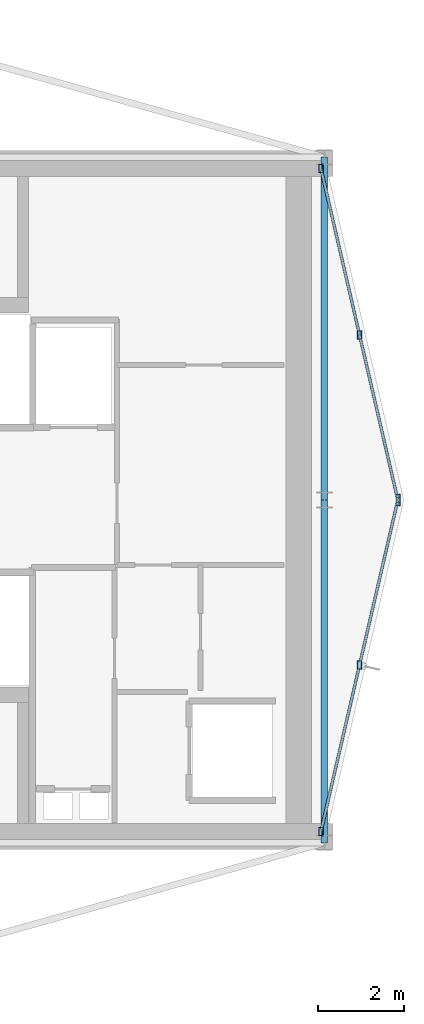
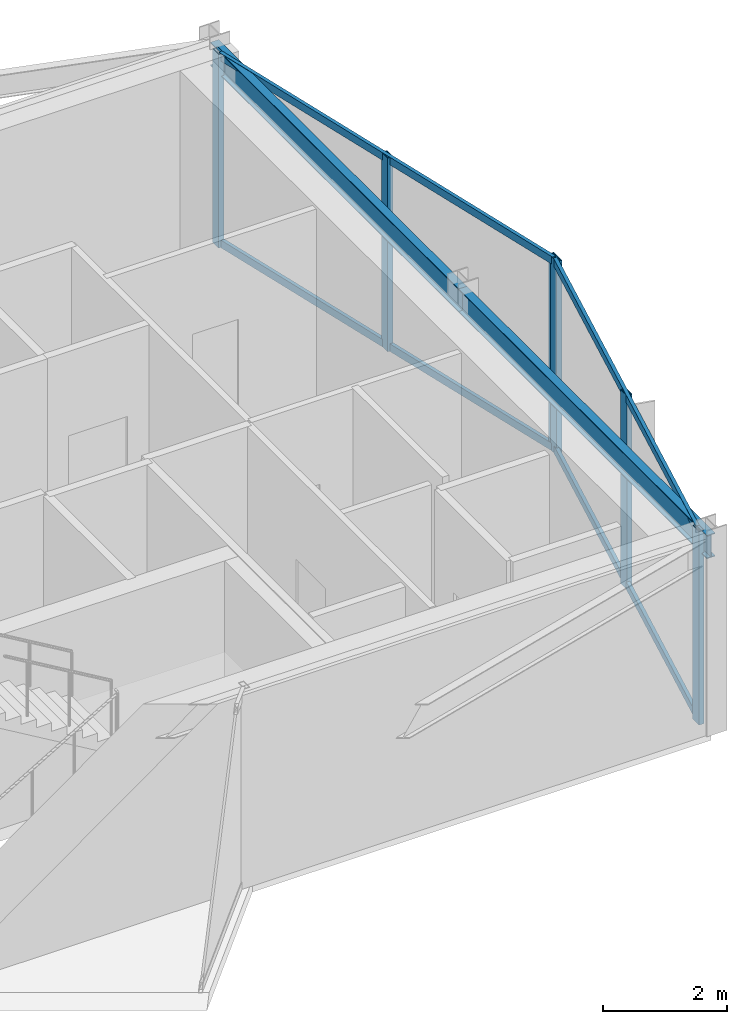
# One storey, part 7 of 13: 10 members, 2 beams, 2 elements without a shape of their own.
"""IFC4 building model written with IfcOpenShell, lengths in metres."""

import ifcopenshell
import ifcopenshell.guid

model = None  # the IFC model being written
_history = None  # IfcOwnerHistory: only IFC2X3 demands one
_inside = {}  # id of a spatial element -> (the spatial element, [elements in it])
_under = {}  # id of a project, library or spatial element -> (it, [spatial elements below it])
_declared = {}  # id of a project -> (the project, [libraries it declares])
_typed = {}  # id of a type object -> (the type object, [elements of that type])
_made_of = {}  # id of a material, layer set ... -> (it, [elements and type objects made of it])


def new_model(schema):
    """Start an empty IFC model of exactly this schema.

    Asked for "IFC4X3", IfcOpenShell would pick the latest addendum, in which some entities
    have other attributes; the version numbers below select the first issue.
    IFC2X3 requires an IfcOwnerHistory on every rooted entity: one is made here for all.
    """
    global model, _history
    if schema == "IFC4X3":
        model = ifcopenshell.file(schema_version=(4, 3, 0, 0))
    else:
        model = ifcopenshell.file(schema=schema)
    _inside.clear()
    _under.clear()
    _declared.clear()
    _typed.clear()
    _made_of.clear()
    _history = None
    if model.schema == "IFC2X3":
        org = make("IfcOrganization", Name="unknown")
        user = make(
            "IfcPersonAndOrganization",
            ThePerson=make("IfcPerson", FamilyName="unknown"),
            TheOrganization=org,
        )
        app = make(
            "IfcApplication",
            ApplicationDeveloper=org,
            Version="unknown",
            ApplicationFullName="unknown",
            ApplicationIdentifier="unknown",
        )
        _history = make(
            "IfcOwnerHistory",
            OwningUser=user,
            OwningApplication=app,
            ChangeAction="ADDED",
            CreationDate=0,
        )
    return model


def make(cls, **values):
    """One entity of the class cls with the attributes given. An attribute that is None is left unset."""
    return model.create_entity(
        cls, **{name: value for name, value in values.items() if value is not None}
    )


def rooted(cls, **values):
    """An entity with a GlobalId (a new one), such as an element, a storey or a relation."""
    return make(cls, GlobalId=ifcopenshell.guid.new(), OwnerHistory=_history, **values)


def si_unit(unit_type, name, prefix=None):
    """IfcSIUnit, for example si_unit("LENGTHUNIT", "METRE", prefix="MILLI")."""
    return make("IfcSIUnit", UnitType=unit_type, Prefix=prefix, Name=name)


def assignment(units):
    """IfcUnitAssignment: the units of a project."""
    return None if units is None else make("IfcUnitAssignment", Units=units)


def point(xyz):
    """IfcCartesianPoint."""
    return None if xyz is None else make("IfcCartesianPoint", Coordinates=xyz)


def direction(xyz):
    """IfcDirection."""
    return None if xyz is None else make("IfcDirection", DirectionRatios=xyz)


def frame(location, z_axis=None, x_axis=None):
    """IfcAxis2Placement3D, a coordinate frame: its origin and axes. An axis left out is left unset."""
    return make(
        "IfcAxis2Placement3D",
        Location=point(location),
        Axis=direction(z_axis),
        RefDirection=direction(x_axis),
    )


def frame_2d(location, x_axis=None):
    """IfcAxis2Placement2D, a coordinate frame in the plane: its origin and x axis."""
    return make(
        "IfcAxis2Placement2D", Location=point(location), RefDirection=direction(x_axis)
    )


def origin():
    """The frame at (0, 0, 0) with its axes left unset."""
    return frame((0.0, 0.0, 0.0))


def origin_2d():
    """The frame at (0, 0) in the plane with its x axis left unset."""
    return frame_2d((0.0, 0.0))


def place(relative_to, where):
    """IfcLocalPlacement: puts the frame where relative to a parent placement (None: the world)."""
    return make(
        "IfcLocalPlacement", PlacementRelTo=relative_to, RelativePlacement=where
    )


def context(
    kind, dimensions, precision=None, world=None, true_north=None, identifier=None
):
    """IfcGeometricRepresentationContext, for example the 3D "Model" context."""
    return make(
        "IfcGeometricRepresentationContext",
        ContextIdentifier=identifier,
        ContextType=kind,
        CoordinateSpaceDimension=dimensions,
        Precision=precision,
        WorldCoordinateSystem=world,
        TrueNorth=true_north,
    )


def subcontext(parent, identifier, kind, view, scale=None):
    """IfcGeometricRepresentationSubContext, for example "Body" below "Model"."""
    return make(
        "IfcGeometricRepresentationSubContext",
        ContextIdentifier=identifier,
        ContextType=kind,
        ParentContext=parent,
        TargetScale=scale,
        TargetView=view,
    )


def project(units=None, contexts=None):
    """IfcProject with its units and contexts."""
    return rooted(
        "IfcProject",
        Name="project",
        RepresentationContexts=contexts,
        UnitsInContext=assignment(units),
    )


def spatial(cls, under=None, at=None, **own):
    """A site, building, storey or space (cls), placed at a placement, below another one or the project."""
    s = rooted(cls, ObjectPlacement=at, **own)
    if under is not None:
        _under.setdefault(under.id(), (under, []))[1].append(s)
    return s


def profile(cls, at=None, kind="AREA", **sizes):
    """A parametric profile (cls). Its sizes go by their IFC names, for example OverallWidth=200.0."""
    return make(cls, ProfileType=kind, Position=at, **sizes)


def hollow_rectangle(**sizes):
    """IfcRectangleHollowProfileDef."""
    return profile("IfcRectangleHollowProfileDef", **sizes)


def i_section(**sizes):
    """IfcIShapeProfileDef."""
    return profile("IfcIShapeProfileDef", **sizes)


def extrude(swept, where, along, depth):
    """IfcExtrudedAreaSolid: the profile swept, set in the frame where, extruded along a direction by depth."""
    return make(
        "IfcExtrudedAreaSolid",
        SweptArea=swept,
        Position=where,
        ExtrudedDirection=direction(along),
        Depth=depth,
    )


def shape(context_of_items, identifier, shape_type, items):
    """IfcShapeRepresentation: the items that make up one representation, for example the "Body"."""
    return make(
        "IfcShapeRepresentation",
        ContextOfItems=context_of_items,
        RepresentationIdentifier=identifier,
        RepresentationType=shape_type,
        Items=items,
    )


def material(Name=None, Category=None):
    """IfcMaterial."""
    return make("IfcMaterial", Name=Name, Category=Category)


def layer(
    of_material, thickness, ventilated=None, Name=None, Category=None, Priority=None
):
    """IfcMaterialLayer: one layer of a wall or slab, of a material (None: an air gap)."""
    return make(
        "IfcMaterialLayer",
        Material=of_material,
        LayerThickness=thickness,
        IsVentilated=ventilated,
        Name=Name,
        Category=Category,
        Priority=Priority,
    )


def layer_set(layers, Name=None):
    """IfcMaterialLayerSet."""
    return make("IfcMaterialLayerSet", MaterialLayers=layers, LayerSetName=Name)


def material_profile(
    of_material, cross_section, Name=None, Category=None, Priority=None
):
    """IfcMaterialProfile: a cross section and its material."""
    return make(
        "IfcMaterialProfile",
        Name=Name,
        Material=of_material,
        Profile=cross_section,
        Priority=Priority,
        Category=Category,
    )


def profile_set(profiles, Name=None, composite=None):
    """IfcMaterialProfileSet."""
    return make(
        "IfcMaterialProfileSet",
        Name=Name,
        MaterialProfiles=profiles,
        CompositeProfile=composite,
    )


def made_of(thing, what):
    """Note that an element or type object is made of a material, layer set ...; save() writes the relation."""
    if what is not None:
        _made_of.setdefault(what.id(), (what, []))[1].append(thing)
    return thing


def type_object(cls, material=None, **own):
    """A type object (cls), such as IfcWallType, which elements share."""
    return made_of(rooted(cls, **own), material)


def element(
    cls,
    number,
    at=None,
    inside=None,
    cuts=None,
    type_object=None,
    material=None,
    context=None,
    identifier="Body",
    shape_type=None,
    held_by="IfcProductDefinitionShape",
    body=None,
    shapes=None,
    **own,
):
    """One element of the class cls, such as IfcWall. Its Tag is "e" and its number.

    at: its placement. inside: the storey or other place that contains it. cuts: it is an
    opening in that element (IfcRelVoidsElement). A single representation is given by context,
    identifier, shape_type and body (its items); several are given by shapes. held_by: the class
    of the entity that holds the representations. save() writes the other relations.
    """
    e = rooted(cls, Tag="e%d" % number, ObjectPlacement=at, **own)
    if body is not None:
        shapes = [shape(context, identifier, shape_type, body)]
    if shapes is not None:
        e.Representation = make(held_by, Representations=shapes)
    if inside is not None:
        _inside.setdefault(inside.id(), (inside, []))[1].append(e)
    if cuts is not None:
        rooted(
            "IfcRelVoidsElement", RelatingBuildingElement=cuts, RelatedOpeningElement=e
        )
    if type_object is not None:
        _typed.setdefault(type_object.id(), (type_object, []))[1].append(e)
    return made_of(e, material)


def aggregate(whole, parts):
    """IfcRelAggregates: a whole, such as a stair, and the parts it consists of."""
    return rooted("IfcRelAggregates", RelatingObject=whole, RelatedObjects=parts)


def save(model, path):
    """Write the relations noted so far, then the file.

    IfcRelAggregates (storeys below a building ...), IfcRelContainedInSpatialStructure (elements
    in a storey), IfcRelDefinesByType, IfcRelAssociatesMaterial and IfcRelDeclares: one each for
    every whole, place, type object, material and project.
    """
    for whole, parts in _under.values():
        aggregate(whole, parts)
    for where, things in _inside.values():
        rooted(
            "IfcRelContainedInSpatialStructure",
            RelatedElements=things,
            RelatingStructure=where,
        )
    for kind, things in _typed.values():
        rooted("IfcRelDefinesByType", RelatedObjects=things, RelatingType=kind)
    for what, things in _made_of.values():
        rooted("IfcRelAssociatesMaterial", RelatedObjects=things, RelatingMaterial=what)
    for by, libraries in _declared.values():
        rooted("IfcRelDeclares", RelatingContext=by, RelatedDefinitions=libraries)
    model.write(path)


model = new_model("IFC4")

# Units and contexts
model_context = context("Model", 3, precision=1e-05, world=origin(), true_north=direction((0.0, 1.0)))
body_context = subcontext(model_context, "Body", "Model", "MODEL_VIEW")
ifc_project = project(units=[si_unit("LENGTHUNIT", "METRE"), si_unit("AREAUNIT", "SQUARE_METRE"), si_unit("VOLUMEUNIT", "CUBIC_METRE"), si_unit("PLANEANGLEUNIT", "RADIAN"), si_unit("MASSUNIT", "GRAM", prefix="KILO")], contexts=[model_context])

# Site, building, storey
site_placement = place(None, origin())
site = spatial("IfcSite", under=ifc_project, at=site_placement, CompositionType="ELEMENT")
building_placement = place(site_placement, origin())
building = spatial("IfcBuilding", under=site, at=building_placement, Name="Veymaron Broadcast Tower", CompositionType="ELEMENT")
storey_placement = place(building_placement, frame((0.0, 0.0, 287.10009765625)))
storey = spatial("IfcBuildingStorey", under=building, at=storey_placement, Name="L67", CompositionType="ELEMENT", Elevation=287.10009765625)

# Beams
ifc_material_1 = material(Name="Structural steel ASTM A992 Gr 50", Category="steel")
ifc_material_profile_1 = material_profile(ifc_material_1, i_section(OverallWidth=0.154052734375, OverallDepth=0.458984375, WebThickness=0.009033203125, FlangeThickness=0.015380859375, at=origin_2d()), Name="W460X68")
ifc_profile_set_1 = profile_set([ifc_material_profile_1], Name="Structural steel ASTM A992 Gr 50")
beam_type = type_object("IfcBeamType", Name="BM-SP2", PredefinedType="SPANDREL", material=ifc_profile_set_1)
for number, where, z_axis, x_axis, name in (
    (1, (54.60009765625, 16.0, 3.580322265625), (0.0, 1.0, 0.0), (-1.0, 0.0, 0.0), "L67 primary structural floor girder"),
    (2, (54.60009765625, 24.0, 3.580322265625), (0.0, 1.0, 0.0), (-1.0, 0.0, 0.0), "L67 primary structural floor girder"),
):
    element("IfcBeam", number, at=place(storey_placement, frame(where, z_axis=z_axis, x_axis=x_axis)), inside=storey, type_object=beam_type, Name=name, PredefinedType="SPANDREL", context=body_context, shape_type="SweptSolid", body=[
        extrude(i_section(OverallWidth=0.154052734375, OverallDepth=0.458984375, WebThickness=0.009033203125, FlangeThickness=0.015380859375, at=origin_2d()), origin(), (0.0, 0.0, 1.0), 8.0),
    ])

# Curtain wall, members
ifc_material_2 = material(Name="Anodised aluminium AA 6063-T6 and laminated low-E dark glass", Category="aluminium")
ifc_layer = layer(ifc_material_2, 0.179931640625)
ifc_layer_set = layer_set([ifc_layer], Name="Anodised aluminium AA 6063-T6 and laminated low-E dark glass")
curtain_wall_type = type_object("IfcCurtainWallType", Name="CW-SYS-06", PredefinedType="NOTDEFINED", material=ifc_layer_set)
curtain_wall_1_placement = place(storey_placement, origin())
curtain_wall_1 = element("IfcCurtainWall", 3, at=curtain_wall_1_placement, inside=storey, type_object=curtain_wall_type, Name="L67 dark-glass curtain wall CW-L67-E2-1", PredefinedType="NOTDEFINED")
ifc_material_3 = material(Name="Anodised aluminium AA 6063-T6", Category="aluminium")
ifc_material_profile_2 = material_profile(ifc_material_3, hollow_rectangle(XDim=0.10009765625, YDim=0.199951171875, WallThickness=0.010009765625, at=origin_2d()), Name="RHS200X100X10")
ifc_profile_set_2 = profile_set([ifc_material_profile_2], Name="Anodised aluminium AA 6063-T6")
member_type_1 = type_object("IfcMemberType", Name="CW-MUL-01", PredefinedType="MULLION", material=ifc_profile_set_2)
member_1_placement = place(storey_placement, frame((54.517578125, 16.264892578125, 0.0), z_axis=(0.0, 0.0, 1.0), x_axis=(1.0, 0.0, 0.0)))
member_1 = element("IfcMember", 4, at=member_1_placement, type_object=member_type_1, Name="CW-L67-E2-1 mullion 0", PredefinedType="MULLION", context=body_context, shape_type="SweptSolid", body=[
    extrude(hollow_rectangle(XDim=0.10009765625, YDim=0.199951171875, WallThickness=0.010009765625, at=origin_2d()), origin(), (0.0, 0.0, 1.0), 3.809814453125),
])
member_2_placement = place(storey_placement, frame((55.418701171875, 20.148193359375, 0.0), z_axis=(0.0, 0.0, 1.0), x_axis=(1.0, 0.0, 0.0)))
member_2 = element("IfcMember", 5, at=member_2_placement, type_object=member_type_1, Name="CW-L67-E2-1 mullion 1", PredefinedType="MULLION", context=body_context, shape_type="SweptSolid", body=[
    extrude(hollow_rectangle(XDim=0.10009765625, YDim=0.199951171875, WallThickness=0.010009765625, at=origin_2d()), origin(), (0.0, 0.0, 1.0), 3.809814453125),
])
member_3_placement = place(storey_placement, frame((56.320068359375, 24.031494140625, 0.0), z_axis=(0.0, 0.0, 1.0), x_axis=(1.0, 0.0, 0.0)))
member_3 = element("IfcMember", 6, at=member_3_placement, type_object=member_type_1, Name="CW-L67-E2-1 mullion 2", PredefinedType="MULLION", context=body_context, shape_type="SweptSolid", body=[
    extrude(hollow_rectangle(XDim=0.10009765625, YDim=0.199951171875, WallThickness=0.010009765625, at=origin_2d()), origin(), (0.0, 0.0, 1.0), 3.809814453125),
])

curtain_wall_2_placement = place(storey_placement, origin())
curtain_wall_2 = element("IfcCurtainWall", 7, at=curtain_wall_2_placement, inside=storey, type_object=curtain_wall_type, Name="L67 dark-glass curtain wall CW-L67-E3-1", PredefinedType="NOTDEFINED")
member_4_placement = place(storey_placement, frame((56.320068359375, 23.968505859375, 0.0), z_axis=(0.0, 0.0, 1.0), x_axis=(1.0, 0.0, 0.0)))
member_4 = element("IfcMember", 8, at=member_4_placement, type_object=member_type_1, Name="CW-L67-E3-1 mullion 0", PredefinedType="MULLION", context=body_context, shape_type="SweptSolid", body=[
    extrude(hollow_rectangle(XDim=0.10009765625, YDim=0.199951171875, WallThickness=0.010009765625, at=origin_2d()), origin(), (0.0, 0.0, 1.0), 3.809814453125),
])
member_5_placement = place(storey_placement, frame((55.418701171875, 27.851806640625, 0.0), z_axis=(0.0, 0.0, 1.0), x_axis=(1.0, 0.0, 0.0)))
member_5 = element("IfcMember", 9, at=member_5_placement, type_object=member_type_1, Name="CW-L67-E3-1 mullion 1", PredefinedType="MULLION", context=body_context, shape_type="SweptSolid", body=[
    extrude(hollow_rectangle(XDim=0.10009765625, YDim=0.199951171875, WallThickness=0.010009765625, at=origin_2d()), origin(), (0.0, 0.0, 1.0), 3.809814453125),
])
member_6_placement = place(storey_placement, frame((54.517578125, 31.735107421875, 0.0), z_axis=(0.0, 0.0, 1.0), x_axis=(1.0, 0.0, 0.0)))
member_6 = element("IfcMember", 10, at=member_6_placement, type_object=member_type_1, Name="CW-L67-E3-1 mullion 2", PredefinedType="MULLION", context=body_context, shape_type="SweptSolid", body=[
    extrude(hollow_rectangle(XDim=0.10009765625, YDim=0.199951171875, WallThickness=0.010009765625, at=origin_2d()), origin(), (0.0, 0.0, 1.0), 3.809814453125),
])

# Member
ifc_material_profile_3 = material_profile(ifc_material_3, hollow_rectangle(XDim=0.06494140625, YDim=0.14990234375, WallThickness=0.00390625, at=origin_2d()), Name="AL150X65X4")
ifc_profile_set_3 = profile_set([ifc_material_profile_3], Name="Anodised aluminium AA 6063-T6")
member_type_2 = type_object("IfcMemberType", Name="CW-TRN-01", PredefinedType="USERDEFINED", material=ifc_profile_set_3)
member_7_placement = place(storey_placement, frame((54.529052734375, 16.3134765625, 0.06982421875), z_axis=(0.226025672802, 0.974121345231, 0.0), x_axis=(-0.974121345231, 0.226025672802, 0.0)))
member_7 = element("IfcMember", 11, at=member_7_placement, type_object=member_type_2, Name="CW-L67-E2-1 transom B", ObjectType="TRANSOM", PredefinedType="USERDEFINED", context=body_context, shape_type="SweptSolid", body=[
    extrude(hollow_rectangle(XDim=0.06494140625, YDim=0.14990234375, WallThickness=0.00390625, at=origin_2d()), origin(), (0.0, 0.0, 1.0), 7.873291015625),
])

member_8_placement = place(storey_placement, frame((54.529052734375, 16.3134765625, 3.739990234375), z_axis=(0.226025672802, 0.974121345231, 0.0), x_axis=(-0.974121345231, 0.226025672802, 0.0)))
member_8 = element("IfcMember", 12, at=member_8_placement, type_object=member_type_2, Name="CW-L67-E2-1 transom T", ObjectType="TRANSOM", PredefinedType="USERDEFINED", context=body_context, shape_type="SweptSolid", body=[
    extrude(hollow_rectangle(XDim=0.06494140625, YDim=0.14990234375, WallThickness=0.00390625, at=origin_2d()), origin(), (0.0, 0.0, 1.0), 7.873291015625),
])

aggregate(curtain_wall_1, [member_1, member_2, member_3, member_7, member_8])

member_9_placement = place(storey_placement, frame((56.30859375, 24.01708984375, 0.06982421875), z_axis=(-0.226025672802, 0.974121345231, 0.0), x_axis=(-0.974121345231, -0.226025672802, 0.0)))
member_9 = element("IfcMember", 13, at=member_9_placement, type_object=member_type_2, Name="CW-L67-E3-1 transom B", ObjectType="TRANSOM", PredefinedType="USERDEFINED", context=body_context, shape_type="SweptSolid", body=[
    extrude(hollow_rectangle(XDim=0.06494140625, YDim=0.14990234375, WallThickness=0.00390625, at=origin_2d()), origin(), (0.0, 0.0, 1.0), 7.873291015625),
])

member_10_placement = place(storey_placement, frame((56.30859375, 24.01708984375, 3.739990234375), z_axis=(-0.226025672802, 0.974121345231, 0.0), x_axis=(-0.974121345231, -0.226025672802, 0.0)))
member_10 = element("IfcMember", 14, at=member_10_placement, type_object=member_type_2, Name="CW-L67-E3-1 transom T", ObjectType="TRANSOM", PredefinedType="USERDEFINED", context=body_context, shape_type="SweptSolid", body=[
    extrude(hollow_rectangle(XDim=0.06494140625, YDim=0.14990234375, WallThickness=0.00390625, at=origin_2d()), origin(), (0.0, 0.0, 1.0), 7.873291015625),
])

aggregate(curtain_wall_2, [member_4, member_5, member_6, member_9, member_10])

save(model, "model.ifc")
